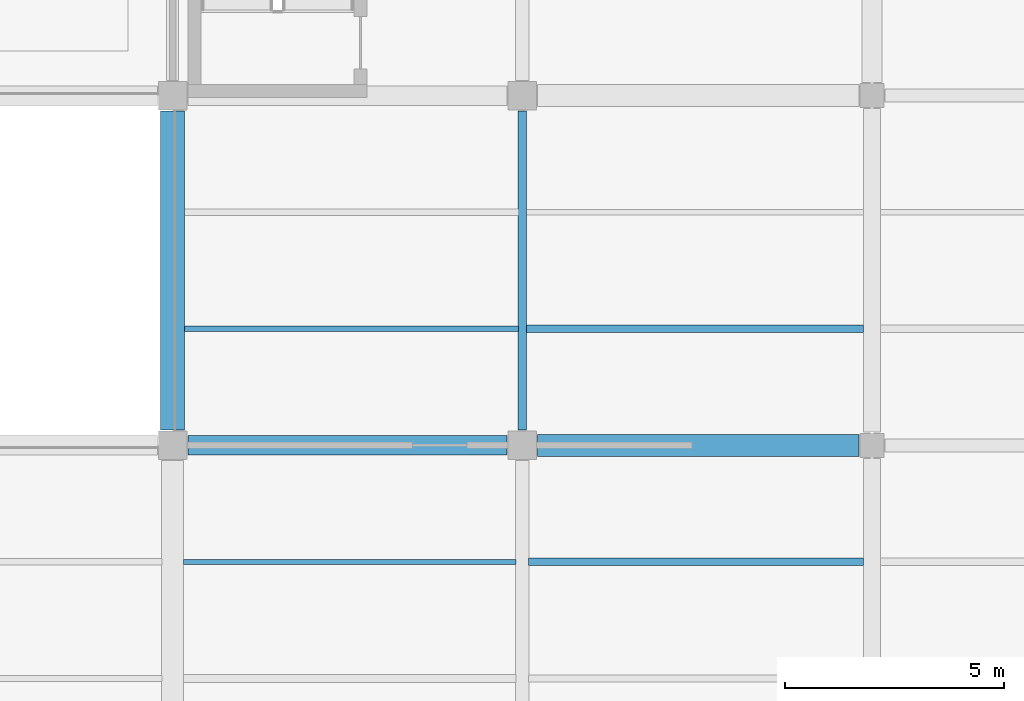
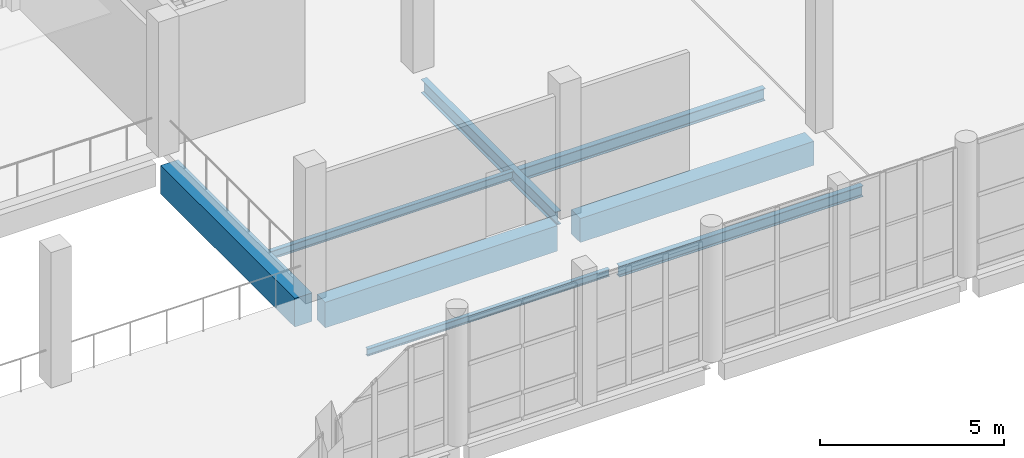
# One storey, part 28 of 183: 8 beams.
"""IFC4 building model written with IfcOpenShell, lengths in metres."""

from ifc_helpers import new_model, si_unit, direction, frame, origin, origin_2d, place, context, subcontext, project, spatial, rectangle, i_section, extrude, material, material_profile, profile_set, type_object, element, save


model = new_model("IFC4")

# Units and contexts
model_context = context("Model", 3, precision=1e-05, world=origin(), true_north=direction((0.0, 1.0)))
body_context = subcontext(model_context, "Body", "Model", "MODEL_VIEW")
ifc_project = project(units=[si_unit("LENGTHUNIT", "METRE"), si_unit("AREAUNIT", "SQUARE_METRE"), si_unit("VOLUMEUNIT", "CUBIC_METRE"), si_unit("PLANEANGLEUNIT", "RADIAN"), si_unit("MASSUNIT", "GRAM", prefix="KILO")], contexts=[model_context])

# Site, building, storey
site_placement = place(None, origin())
site = spatial("IfcSite", under=ifc_project, at=site_placement, CompositionType="ELEMENT")
building_placement = place(site_placement, origin())
building = spatial("IfcBuilding", under=site, at=building_placement, Name="Luwemba Playhouse", CompositionType="ELEMENT")
storey_placement = place(building_placement, frame((0.0, 0.0, 4.800048828125)))
storey = spatial("IfcBuildingStorey", under=building, at=storey_placement, Name="L01", CompositionType="ELEMENT", Elevation=4.800048828125)

# Beams
ifc_material_1 = material(Name="Concrete C40/50", Category="concrete")
ifc_material_profile_1 = material_profile(ifc_material_1, rectangle(XDim=0.449951171875, YDim=0.85009765625, at=origin_2d()))
ifc_profile_set_1 = profile_set([ifc_material_profile_1], Name="Concrete C40/50")
beam_type_1 = type_object("IfcBeamType", Name="BM-RB05", PredefinedType="BEAM", material=ifc_profile_set_1)
beam_1_placement = place(storey_placement, frame((36.35009765625, 11.0, -0.675048828125), z_axis=(1.0, 0.0, 0.0), x_axis=(0.0, 1.0, 0.0)))
element("IfcBeam", 1, at=beam_1_placement, inside=storey, type_object=beam_type_1, Name="L01 grid girder 0479", PredefinedType="BEAM", context=body_context, shape_type="SweptSolid", body=[
    extrude(rectangle(XDim=0.449951171875, YDim=0.85009765625, at=origin_2d()), origin(), (0.0, 0.0, 1.0), 7.2998046875),
])
ifc_material_profile_2 = material_profile(ifc_material_1, rectangle(XDim=0.5, YDim=0.800048828125, at=origin_2d()))
ifc_profile_set_2 = profile_set([ifc_material_profile_2], Name="Concrete C40/50")
beam_type_2 = type_object("IfcBeamType", Name="BM-RB06", PredefinedType="BEAM", material=ifc_profile_set_2)
beam_2_placement = place(storey_placement, frame((44.35009765625, 11.0, -0.650146484375), z_axis=(1.0, 0.0, 0.0), x_axis=(0.0, 1.0, 0.0)))
element("IfcBeam", 2, at=beam_2_placement, inside=storey, type_object=beam_type_2, Name="L01 grid girder 0480", PredefinedType="BEAM", context=body_context, shape_type="SweptSolid", body=[
    extrude(rectangle(XDim=0.5, YDim=0.800048828125, at=origin_2d()), origin(), (0.0, 0.0, 1.0), 7.349853515625),
])
ifc_material_profile_3 = material_profile(ifc_material_1, rectangle(XDim=0.550048828125, YDim=0.949951171875, at=origin_2d()))
ifc_profile_set_3 = profile_set([ifc_material_profile_3], Name="Concrete C40/50")
beam_type_3 = type_object("IfcBeamType", Name="BM-RB08", PredefinedType="BEAM", material=ifc_profile_set_3)
beam_3_placement = place(storey_placement, frame((36.0, 11.35009765625, -0.72509765625), z_axis=(0.0, 1.0, 0.0), x_axis=(-1.0, 0.0, 0.0)))
element("IfcBeam", 3, at=beam_3_placement, inside=storey, type_object=beam_type_3, Name="L01 transverse girder 0508", PredefinedType="BEAM", context=body_context, shape_type="SweptSolid", body=[
    extrude(rectangle(XDim=0.550048828125, YDim=0.949951171875, at=origin_2d()), origin(), (0.0, 0.0, 1.0), 7.2998046875),
])
ifc_material_2 = material(Name="Steel S355", Category="steel")
ifc_material_profile_4 = material_profile(ifc_material_2, i_section(OverallWidth=0.18994140625, OverallDepth=0.449951171875, WebThickness=0.009521484375, FlangeThickness=0.0146484375, FilletRadius=0.02099609375, at=origin_2d()))
ifc_profile_set_4 = profile_set([ifc_material_profile_4], Name="Steel S355")
beam_type_4 = type_object("IfcBeamType", Name="BM-SB06", PredefinedType="BEAM", material=ifc_profile_set_4)
beam_4_placement = place(storey_placement, frame((44.0, 11.35009765625, -0.47509765625), z_axis=(0.0, 1.0, 0.0), x_axis=(-1.0, 0.0, 0.0)))
element("IfcBeam", 4, at=beam_4_placement, inside=storey, type_object=beam_type_4, Name="L01 transverse girder 0511", PredefinedType="BEAM", context=body_context, shape_type="SweptSolid", body=[
    extrude(i_section(OverallWidth=0.18994140625, OverallDepth=0.449951171875, WebThickness=0.009521484375, FlangeThickness=0.0146484375, FilletRadius=0.02099609375, at=origin_2d()), origin(), (0.0, 0.0, 1.0), 7.2998046875),
])
ifc_material_profile_5 = material_profile(ifc_material_2, i_section(OverallWidth=0.1201171875, OverallDepth=0.239990234375, WebThickness=0.006103515625, FlangeThickness=0.009765625, FilletRadius=0.014892578125, at=origin_2d()))
ifc_profile_set_5 = profile_set([ifc_material_profile_5], Name="Steel S355")
beam_type_5 = type_object("IfcBeamType", Name="BM-SJ03", PredefinedType="JOIST", material=ifc_profile_set_5)
beam_5_placement = place(storey_placement, frame((36.24609375, 8.333251953125, -0.3701171875), z_axis=(1.0, 0.0, 0.0), x_axis=(0.0, 1.0, 0.0)))
element("IfcBeam", 5, at=beam_5_placement, inside=storey, type_object=beam_type_5, Name="L01 composite floor joist 0292", PredefinedType="JOIST", context=body_context, shape_type="SweptSolid", body=[
    extrude(i_section(OverallWidth=0.1201171875, OverallDepth=0.239990234375, WebThickness=0.006103515625, FlangeThickness=0.009765625, FilletRadius=0.014892578125, at=origin_2d()), origin(), (0.0, 0.0, 1.0), 7.60791015625),
])
ifc_material_profile_6 = material_profile(ifc_material_2, i_section(OverallWidth=0.135009765625, OverallDepth=0.27001953125, WebThickness=0.006591796875, FlangeThickness=0.01025390625, FilletRadius=0.014892578125, at=origin_2d()))
ifc_profile_set_6 = profile_set([ifc_material_profile_6], Name="Steel S355")
beam_type_6 = type_object("IfcBeamType", Name="BM-SJ04", PredefinedType="JOIST", material=ifc_profile_set_6)
beam_6_placement = place(storey_placement, frame((36.27099609375, 13.666748046875, -0.385009765625), z_axis=(1.0, 0.0, 0.0), x_axis=(0.0, 1.0, 0.0)))
element("IfcBeam", 6, at=beam_6_placement, inside=storey, type_object=beam_type_6, Name="L01 composite floor joist 0293", PredefinedType="JOIST", context=body_context, shape_type="SweptSolid", body=[
    extrude(i_section(OverallWidth=0.135009765625, OverallDepth=0.27001953125, WebThickness=0.006591796875, FlangeThickness=0.01025390625, FilletRadius=0.014892578125, at=origin_2d()), origin(), (0.0, 0.0, 1.0), 7.637939453125),
])
ifc_material_profile_7 = material_profile(ifc_material_2, i_section(OverallWidth=0.169921875, OverallDepth=0.360107421875, WebThickness=0.008056640625, FlangeThickness=0.0126953125, FilletRadius=0.01806640625, at=origin_2d()))
ifc_profile_set_7 = profile_set([ifc_material_profile_7], Name="Steel S355")
beam_type_7 = type_object("IfcBeamType", Name="BM-SJ07", PredefinedType="JOIST", material=ifc_profile_set_7)
beam_7_placement = place(storey_placement, frame((44.14599609375, 8.333251953125, -0.429931640625), z_axis=(1.0, 0.0, 0.0), x_axis=(0.0, 1.0, 0.0)))
element("IfcBeam", 7, at=beam_7_placement, inside=storey, type_object=beam_type_7, Name="L01 composite floor joist 0296", PredefinedType="JOIST", context=body_context, shape_type="SweptSolid", body=[
    extrude(i_section(OverallWidth=0.169921875, OverallDepth=0.360107421875, WebThickness=0.008056640625, FlangeThickness=0.0126953125, FilletRadius=0.01806640625, at=origin_2d()), origin(), (0.0, 0.0, 1.0), 7.657958984375),
])
ifc_material_profile_8 = material_profile(ifc_material_2, i_section(OverallWidth=0.179931640625, OverallDepth=0.39990234375, WebThickness=0.008544921875, FlangeThickness=0.013427734375, FilletRadius=0.02099609375, at=origin_2d()))
ifc_profile_set_8 = profile_set([ifc_material_profile_8], Name="Steel S355")
beam_type_8 = type_object("IfcBeamType", Name="BM-SJ08", PredefinedType="JOIST", material=ifc_profile_set_8)
beam_8_placement = place(storey_placement, frame((44.091064453125, 13.666748046875, -0.449951171875), z_axis=(1.0, 0.0, 0.0), x_axis=(0.0, 1.0, 0.0)))
element("IfcBeam", 8, at=beam_8_placement, inside=storey, type_object=beam_type_8, Name="L01 composite floor joist 0297", PredefinedType="JOIST", context=body_context, shape_type="SweptSolid", body=[
    extrude(i_section(OverallWidth=0.179931640625, OverallDepth=0.39990234375, WebThickness=0.008544921875, FlangeThickness=0.013427734375, FilletRadius=0.02099609375, at=origin_2d()), origin(), (0.0, 0.0, 1.0), 7.712890625),
])

save(model, "model.ifc")
